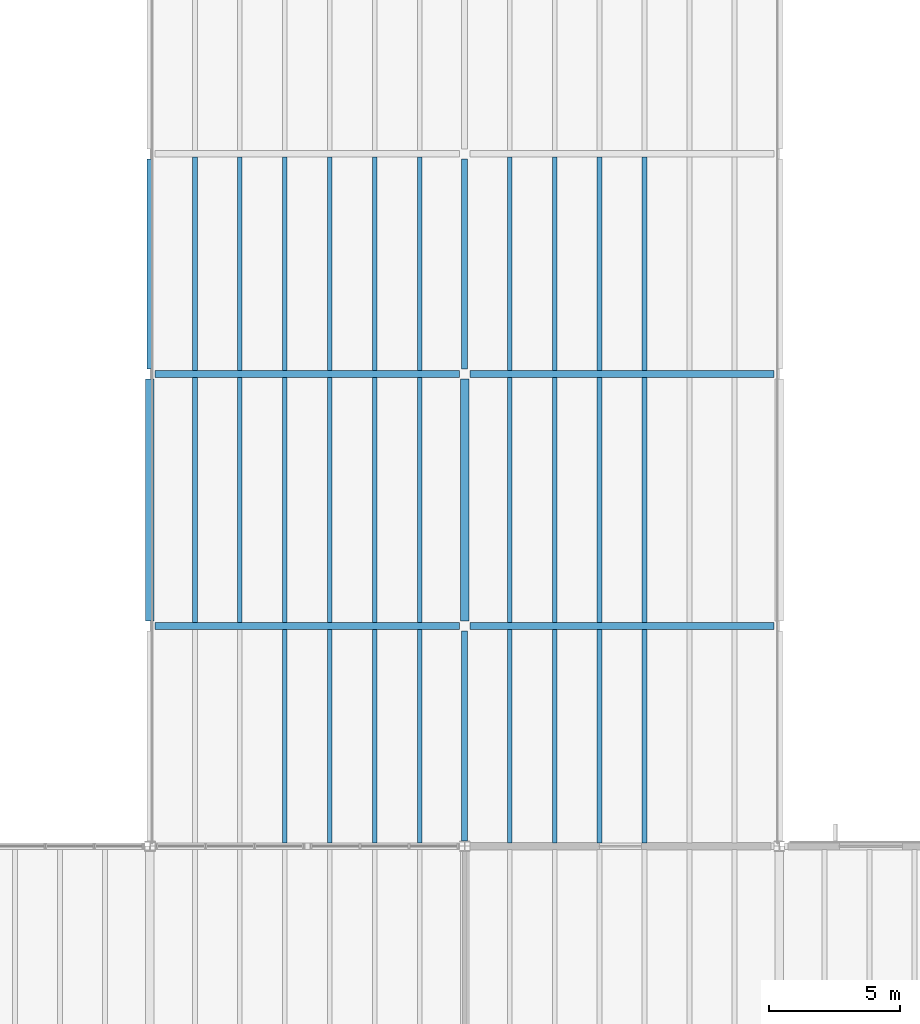
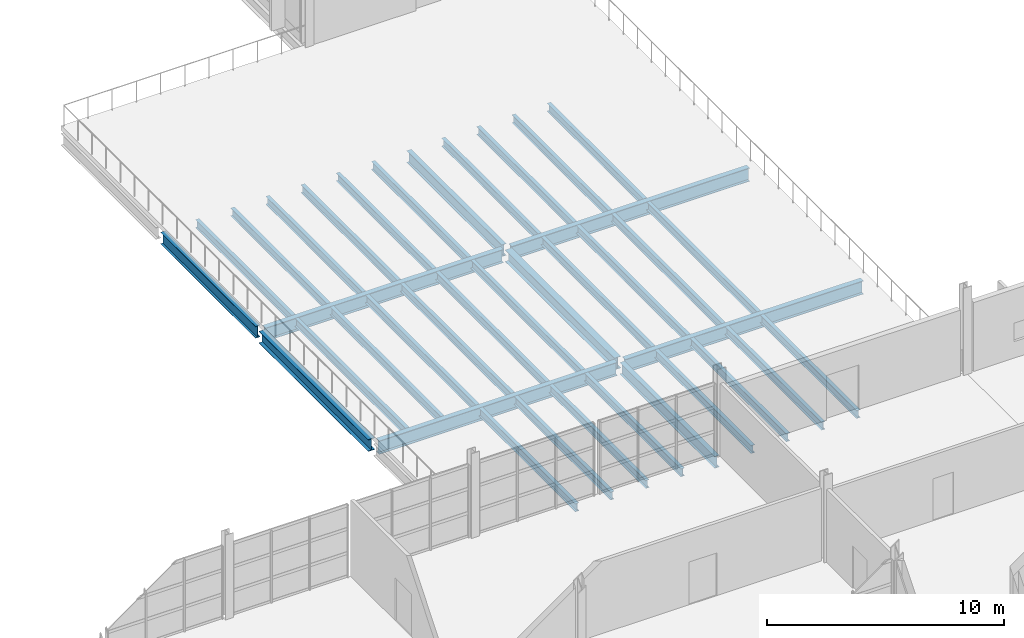
# One storey, part 35 of 78: 37 beams.
"""IFC4 building model written with IfcOpenShell, lengths in metres."""

from ifc_helpers import new_model, si_unit, direction, frame, origin, origin_2d, place, context, subcontext, project, spatial, i_section, extrude, material, material_profile, profile_set, type_object, element, save


model = new_model("IFC4")

# Units and contexts
model_context = context("Model", 3, precision=1e-05, world=origin(), true_north=direction((0.0, 1.0)))
body_context = subcontext(model_context, "Body", "Model", "MODEL_VIEW")
ifc_project = project(units=[si_unit("LENGTHUNIT", "METRE"), si_unit("AREAUNIT", "SQUARE_METRE"), si_unit("VOLUMEUNIT", "CUBIC_METRE"), si_unit("PLANEANGLEUNIT", "RADIAN"), si_unit("MASSUNIT", "GRAM", prefix="KILO")], contexts=[model_context])

# Site, building, storey
site_placement = place(None, origin())
site = spatial("IfcSite", under=ifc_project, at=site_placement, CompositionType="ELEMENT")
building_placement = place(site_placement, origin())
building = spatial("IfcBuilding", under=site, at=building_placement, Name="Kelmvaro Bay Concert Hall", CompositionType="ELEMENT")
storey_placement = place(building_placement, frame((0.0, 0.0, 9.300048828125)))
storey = spatial("IfcBuildingStorey", under=building, at=storey_placement, Name="L02", CompositionType="ELEMENT", Elevation=9.300048828125)

# Beams
ifc_material_1 = material(Name="Steel ASTM A992 Grade 50", Category="steel")
ifc_material_profile_1 = material_profile(ifc_material_1, i_section(OverallWidth=0.323974609375, OverallDepth=0.611083984375, WebThickness=0.0126953125, FlangeThickness=0.01904296875, at=origin_2d()), Name="W24X104")
ifc_profile_set_1 = profile_set([ifc_material_profile_1], Name="Steel ASTM A992 Grade 50")
beam_type_1 = type_object("IfcBeamType", Name="Foyer Frame Girder W24x104", PredefinedType="BEAM", material=ifc_profile_set_1)
for number, where, z_axis, x_axis, name in (
    (1, (108.0, 47.590576171875, -0.545654296875), (0.0, 1.0, 0.0), (-1.0, 0.0, 0.0), "L02 Girder BM-L02-NS-0854"),
    (2, (120.0, 47.590576171875, -0.545654296875), (0.0, 1.0, 0.0), (-1.0, 0.0, 0.0), "L02 Girder BM-L02-NS-0861"),
):
    element("IfcBeam", number, at=place(storey_placement, frame(where, z_axis=z_axis, x_axis=x_axis)), inside=storey, type_object=beam_type_1, Name=name, PredefinedType="BEAM", context=body_context, shape_type="SweptSolid", body=[
        extrude(i_section(OverallWidth=0.323974609375, OverallDepth=0.611083984375, WebThickness=0.0126953125, FlangeThickness=0.01904296875, at=origin_2d()), origin(), (0.0, 0.0, 1.0), 9.218994140625),
    ])
ifc_material_2 = material(Name="Steel ASTM A992 Grade 50", Category="steel")
ifc_material_profile_2 = material_profile(ifc_material_2, i_section(OverallWidth=0.256103515625, OverallDepth=0.693115234375, WebThickness=0.014404296875, FlangeThickness=0.023681640625, at=origin_2d()), Name="W27X114")
ifc_profile_set_2 = profile_set([ifc_material_profile_2], Name="Steel ASTM A992 Grade 50")
beam_type_2 = type_object("IfcBeamType", Name="Foyer Primary Girder W27x114", PredefinedType="BEAM", material=ifc_profile_set_2)
for number, where, z_axis, x_axis, name in (
    (3, (108.197998046875, 47.39990234375, -0.586669921875), (1.0, 0.0, 0.0), (0.0, 1.0, 0.0), "L02 Girder BM-L02-EW-0740"),
    (4, (120.197998046875, 47.39990234375, -0.586669921875), (1.0, 0.0, 0.0), (0.0, 1.0, 0.0), "L02 Girder BM-L02-EW-0741"),
    (5, (108.197998046875, 57.0, -0.586669921875), (1.0, 0.0, 0.0), (0.0, 1.0, 0.0), "L02 Girder BM-L02-EW-0747"),
    (6, (120.197998046875, 57.0, -0.586669921875), (1.0, 0.0, 0.0), (0.0, 1.0, 0.0), "L02 Girder BM-L02-EW-0748"),
):
    element("IfcBeam", number, at=place(storey_placement, frame(where, z_axis=z_axis, x_axis=x_axis)), inside=storey, type_object=beam_type_2, Name=name, PredefinedType="BEAM", context=body_context, shape_type="SweptSolid", body=[
        extrude(i_section(OverallWidth=0.256103515625, OverallDepth=0.693115234375, WebThickness=0.014404296875, FlangeThickness=0.023681640625, at=origin_2d()), origin(), (0.0, 0.0, 1.0), 11.60400390625),
    ])
ifc_material_3 = material(Name="Steel ASTM A992 Grade 50", Category="steel")
ifc_material_profile_3 = material_profile(ifc_material_3, i_section(OverallWidth=0.179931640625, OverallDepth=0.4140625, WebThickness=0.009765625, FlangeThickness=0.01611328125, at=origin_2d()), Name="W16X50")
ifc_profile_set_3 = profile_set([ifc_material_profile_3], Name="Steel ASTM A992 Grade 50")
beam_type_3 = type_object("IfcBeamType", Name="Terrace Composite Joist W16x50", PredefinedType="JOIST", material=ifc_profile_set_3)
for number, where, z_axis, x_axis, name in (
    (7, (113.142822265625, 39.1279296875, -0.447021484375), (0.0, 1.0, 0.0), (-1.0, 0.0, 0.0), "L02 Floor Joist JST-L02-1128"),
    (8, (114.857177734375, 39.1279296875, -0.447021484375), (0.0, 1.0, 0.0), (-1.0, 0.0, 0.0), "L02 Floor Joist JST-L02-1129"),
    (9, (116.5712890625, 39.1279296875, -0.447021484375), (0.0, 1.0, 0.0), (-1.0, 0.0, 0.0), "L02 Floor Joist JST-L02-1130"),
    (10, (118.28564453125, 39.1279296875, -0.447021484375), (0.0, 1.0, 0.0), (-1.0, 0.0, 0.0), "L02 Floor Joist JST-L02-1131"),
    (11, (121.71435546875, 39.1279296875, -0.447021484375), (0.0, 1.0, 0.0), (-1.0, 0.0, 0.0), "L02 Floor Joist JST-L02-1132"),
    (12, (123.4287109375, 39.1279296875, -0.447021484375), (0.0, 1.0, 0.0), (-1.0, 0.0, 0.0), "L02 Floor Joist JST-L02-1133"),
    (13, (125.142822265625, 39.1279296875, -0.447021484375), (0.0, 1.0, 0.0), (-1.0, 0.0, 0.0), "L02 Floor Joist JST-L02-1134"),
    (14, (126.857177734375, 39.1279296875, -0.447021484375), (0.0, 1.0, 0.0), (-1.0, 0.0, 0.0), "L02 Floor Joist JST-L02-1135"),
):
    element("IfcBeam", number, at=place(storey_placement, frame(where, z_axis=z_axis, x_axis=x_axis)), inside=storey, type_object=beam_type_3, Name=name, PredefinedType="JOIST", context=body_context, shape_type="SweptSolid", body=[
        extrude(i_section(OverallWidth=0.179931640625, OverallDepth=0.4140625, WebThickness=0.009765625, FlangeThickness=0.01611328125, at=origin_2d()), origin(), (0.0, 0.0, 1.0), 8.14404296875),
    ])
for number, where, z_axis, x_axis, name in (
    (15, (109.71435546875, 47.528076171875, -0.447021484375), (0.0, 1.0, 0.0), (-1.0, 0.0, 0.0), "L02 Floor Joist JST-L02-1168"),
    (16, (111.4287109375, 47.528076171875, -0.447021484375), (0.0, 1.0, 0.0), (-1.0, 0.0, 0.0), "L02 Floor Joist JST-L02-1169"),
    (17, (113.142822265625, 47.528076171875, -0.447021484375), (0.0, 1.0, 0.0), (-1.0, 0.0, 0.0), "L02 Floor Joist JST-L02-1170"),
    (18, (114.857177734375, 47.528076171875, -0.447021484375), (0.0, 1.0, 0.0), (-1.0, 0.0, 0.0), "L02 Floor Joist JST-L02-1171"),
    (19, (116.5712890625, 47.528076171875, -0.447021484375), (0.0, 1.0, 0.0), (-1.0, 0.0, 0.0), "L02 Floor Joist JST-L02-1172"),
    (20, (118.28564453125, 47.528076171875, -0.447021484375), (0.0, 1.0, 0.0), (-1.0, 0.0, 0.0), "L02 Floor Joist JST-L02-1173"),
    (21, (121.71435546875, 47.528076171875, -0.447021484375), (0.0, 1.0, 0.0), (-1.0, 0.0, 0.0), "L02 Floor Joist JST-L02-1174"),
    (22, (123.4287109375, 47.528076171875, -0.447021484375), (0.0, 1.0, 0.0), (-1.0, 0.0, 0.0), "L02 Floor Joist JST-L02-1175"),
    (23, (125.142822265625, 47.528076171875, -0.447021484375), (0.0, 1.0, 0.0), (-1.0, 0.0, 0.0), "L02 Floor Joist JST-L02-1176"),
    (24, (126.857177734375, 47.528076171875, -0.447021484375), (0.0, 1.0, 0.0), (-1.0, 0.0, 0.0), "L02 Floor Joist JST-L02-1177"),
):
    element("IfcBeam", number, at=place(storey_placement, frame(where, z_axis=z_axis, x_axis=x_axis)), inside=storey, type_object=beam_type_3, Name=name, PredefinedType="JOIST", context=body_context, shape_type="SweptSolid", body=[
        extrude(i_section(OverallWidth=0.179931640625, OverallDepth=0.4140625, WebThickness=0.009765625, FlangeThickness=0.01611328125, at=origin_2d()), origin(), (0.0, 0.0, 1.0), 9.343994140625),
    ])
for number, where, z_axis, x_axis, name in (
    (25, (109.71435546875, 57.1279296875, -0.447021484375), (0.0, 1.0, 0.0), (-1.0, 0.0, 0.0), "L02 Floor Joist JST-L02-1180"),
    (26, (111.4287109375, 57.1279296875, -0.447021484375), (0.0, 1.0, 0.0), (-1.0, 0.0, 0.0), "L02 Floor Joist JST-L02-1181"),
    (27, (113.142822265625, 57.1279296875, -0.447021484375), (0.0, 1.0, 0.0), (-1.0, 0.0, 0.0), "L02 Floor Joist JST-L02-1182"),
    (28, (114.857177734375, 57.1279296875, -0.447021484375), (0.0, 1.0, 0.0), (-1.0, 0.0, 0.0), "L02 Floor Joist JST-L02-1183"),
    (29, (116.5712890625, 57.1279296875, -0.447021484375), (0.0, 1.0, 0.0), (-1.0, 0.0, 0.0), "L02 Floor Joist JST-L02-1184"),
    (30, (118.28564453125, 57.1279296875, -0.447021484375), (0.0, 1.0, 0.0), (-1.0, 0.0, 0.0), "L02 Floor Joist JST-L02-1185"),
    (31, (121.71435546875, 57.1279296875, -0.447021484375), (0.0, 1.0, 0.0), (-1.0, 0.0, 0.0), "L02 Floor Joist JST-L02-1186"),
    (32, (123.4287109375, 57.1279296875, -0.447021484375), (0.0, 1.0, 0.0), (-1.0, 0.0, 0.0), "L02 Floor Joist JST-L02-1187"),
    (33, (125.142822265625, 57.1279296875, -0.447021484375), (0.0, 1.0, 0.0), (-1.0, 0.0, 0.0), "L02 Floor Joist JST-L02-1188"),
    (34, (126.857177734375, 57.1279296875, -0.447021484375), (0.0, 1.0, 0.0), (-1.0, 0.0, 0.0), "L02 Floor Joist JST-L02-1189"),
):
    element("IfcBeam", number, at=place(storey_placement, frame(where, z_axis=z_axis, x_axis=x_axis)), inside=storey, type_object=beam_type_3, Name=name, PredefinedType="JOIST", context=body_context, shape_type="SweptSolid", body=[
        extrude(i_section(OverallWidth=0.179931640625, OverallDepth=0.4140625, WebThickness=0.009765625, FlangeThickness=0.01611328125, at=origin_2d()), origin(), (0.0, 0.0, 1.0), 8.14404296875),
    ])
ifc_material_4 = material(Name="Steel ASTM A992 Grade 50", Category="steel")
ifc_material_profile_4 = material_profile(ifc_material_4, i_section(OverallWidth=0.22900390625, OverallDepth=0.612060546875, WebThickness=0.011962890625, FlangeThickness=0.01953125, at=origin_2d()), Name="W24X84")
ifc_profile_set_4 = profile_set([ifc_material_profile_4], Name="Steel ASTM A992 Grade 50")
beam_type_4 = type_object("IfcBeamType", Name="Terrace Edge Girder W24x84", PredefinedType="BEAM", material=ifc_profile_set_4)
beam_1_placement = place(storey_placement, frame((108.0, 57.1904296875, -0.546142578125), z_axis=(0.0, 1.0, 0.0), x_axis=(-1.0, 0.0, 0.0)))
element("IfcBeam", 35, at=beam_1_placement, inside=storey, type_object=beam_type_4, Name="L02 Girder BM-L02-NS-0855", PredefinedType="BEAM", context=body_context, shape_type="SweptSolid", body=[
    extrude(i_section(OverallWidth=0.22900390625, OverallDepth=0.612060546875, WebThickness=0.011962890625, FlangeThickness=0.01953125, at=origin_2d()), origin(), (0.0, 0.0, 1.0), 8.01904296875),
])
beam_2_placement = place(storey_placement, frame((120.0, 39.199462890625, -0.546142578125), z_axis=(0.0, 1.0, 0.0), x_axis=(-1.0, 0.0, 0.0)))
element("IfcBeam", 36, at=beam_2_placement, inside=storey, type_object=beam_type_4, Name="L02 Girder BM-L02-NS-0860", PredefinedType="BEAM", context=body_context, shape_type="SweptSolid", body=[
    extrude(i_section(OverallWidth=0.22900390625, OverallDepth=0.612060546875, WebThickness=0.011962890625, FlangeThickness=0.01953125, at=origin_2d()), origin(), (0.0, 0.0, 1.0), 8.010009765625),
])
beam_3_placement = place(storey_placement, frame((120.0, 57.1904296875, -0.546142578125), z_axis=(0.0, 1.0, 0.0), x_axis=(-1.0, 0.0, 0.0)))
element("IfcBeam", 37, at=beam_3_placement, inside=storey, type_object=beam_type_4, Name="L02 Girder BM-L02-NS-0862", PredefinedType="BEAM", context=body_context, shape_type="SweptSolid", body=[
    extrude(i_section(OverallWidth=0.22900390625, OverallDepth=0.612060546875, WebThickness=0.011962890625, FlangeThickness=0.01953125, at=origin_2d()), origin(), (0.0, 0.0, 1.0), 8.01904296875),
])

save(model, "model.ifc")
